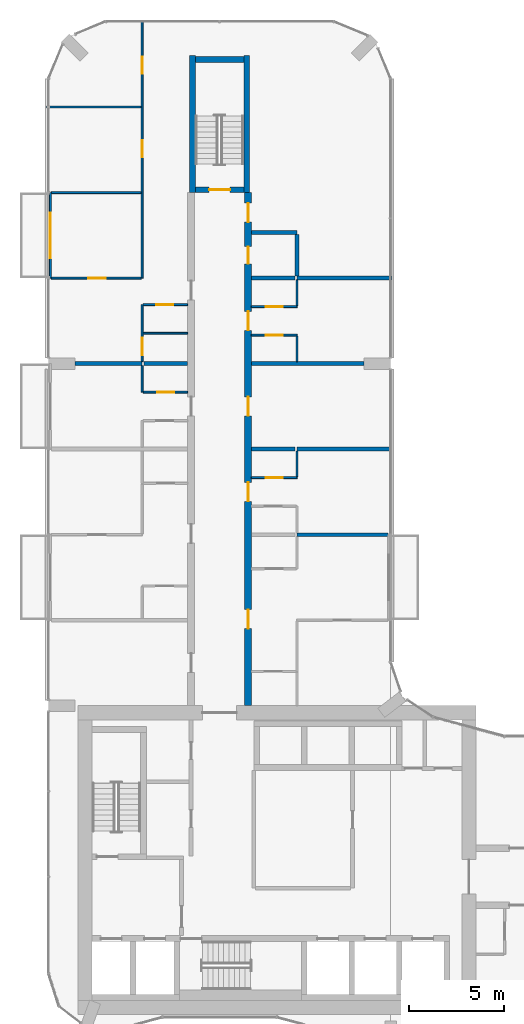
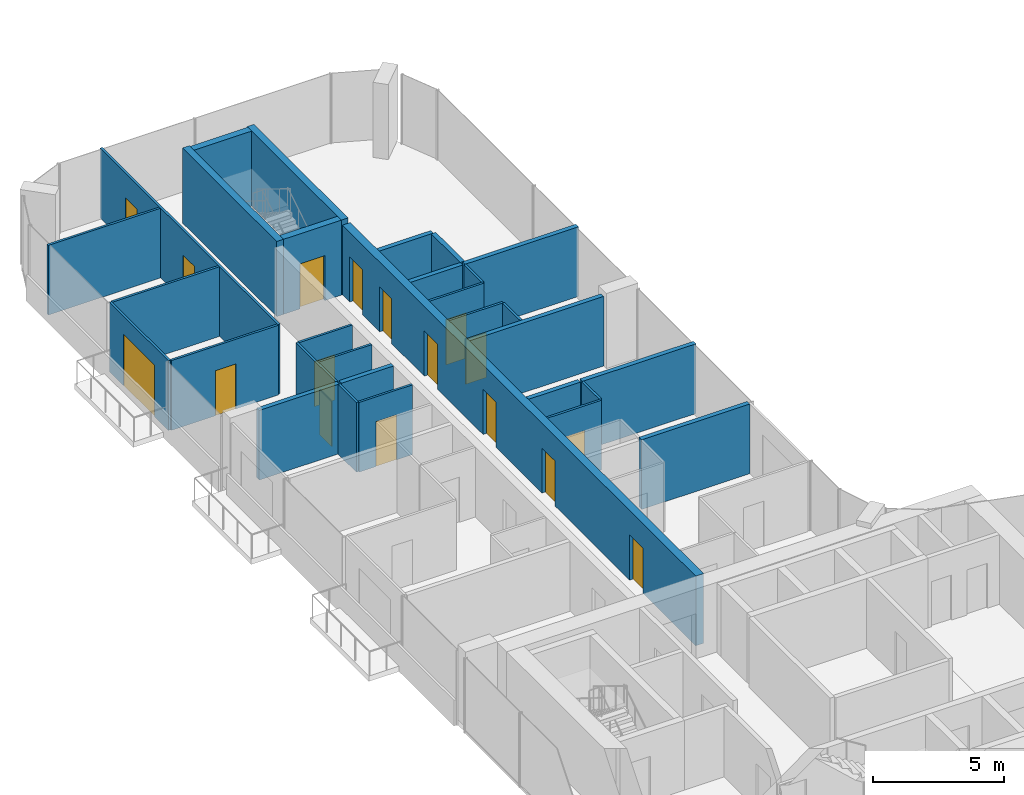
# One storey, part 16 of 22: 31 walls, 17 doors, 17 openings.
"""IFC4 building model written with IfcOpenShell, lengths in metres."""

from ifc_helpers import new_model, si_unit, direction, frame, frame_2d, origin, place, context, subcontext, project, spatial, rectangle, extrude, material, layer, layer_set, type_object, element, fill, save


model = new_model("IFC4")

# Units and contexts
model_context = context("Model", 3, precision=1e-05, world=origin(), true_north=direction((0.0, 1.0)))
body_context = subcontext(model_context, "Body", "Model", "MODEL_VIEW")
ifc_project = project(units=[si_unit("LENGTHUNIT", "METRE"), si_unit("AREAUNIT", "SQUARE_METRE"), si_unit("VOLUMEUNIT", "CUBIC_METRE"), si_unit("PLANEANGLEUNIT", "RADIAN"), si_unit("MASSUNIT", "GRAM", prefix="KILO")], contexts=[model_context])

# Site, building, storey
site_placement = place(None, origin())
site = spatial("IfcSite", under=ifc_project, at=site_placement, CompositionType="ELEMENT")
building_placement = place(site_placement, origin())
building = spatial("IfcBuilding", under=site, at=building_placement, Name="Plateau Cross Towers", CompositionType="ELEMENT")
storey_placement = place(building_placement, frame((0.0, 0.0, 54.800048828125)))
storey = spatial("IfcBuildingStorey", under=building, at=storey_placement, Name="L13", CompositionType="ELEMENT", Elevation=54.800048828125)

# Wall, opening, door
ifc_material_1 = material(Name="Aluminium framed glazing", Category="aluminium")
ifc_layer_1 = layer(ifc_material_1, 0.10009765625)
ifc_layer_set_1 = layer_set([ifc_layer_1], Name="Aluminium framed glazing")
wall_type_1 = type_object("IfcWallType", Name="Balcony screen wall 100", PredefinedType="STANDARD", material=ifc_layer_set_1)
wall_1_placement = place(storey_placement, frame((0.10009765625, 40.5, 0.0), z_axis=(0.0, 0.0, 1.0), x_axis=(0.0, 1.0, 0.0)))
wall_1 = element("IfcWall", 1, at=wall_1_placement, inside=storey, type_object=wall_type_1, Name="Balcony screen wall A-BAL-L13-03", PredefinedType="STANDARD", context=body_context, shape_type="SweptSolid", body=[
    extrude(rectangle(XDim=4.5, YDim=0.10009765625, at=frame_2d((2.25, 0.0))), origin(), (0.0, 0.0, 1.0), 3.25),
])
opening_1_placement = place(wall_1_placement, frame((1.050048828125, 0.0, 0.0)))
opening_1 = element("IfcOpeningElement", 2, at=opening_1_placement, cuts=wall_1, Name="Opening D-B24", PredefinedType="OPENING", context=body_context, shape_type="SweptSolid", body=[
    extrude(rectangle(XDim=2.39990234375, YDim=2.39990234375, at=frame_2d((1.199951171875, 1.199951171875))), frame((0.0, 0.06005859375, 0.0), z_axis=(0.0, -1.0, 0.0), x_axis=(1.0, 0.0, 0.0)), (0.0, 0.0, 1.0), 0.1201171875),
])
ifc_material_2 = material(Name="Aluminium frame, double glazing", Category="aluminium")
door_type_1 = type_object("IfcDoorType", Name="Balcony sliding door 2400", OperationType="NOTDEFINED", PredefinedType="DOOR", material=ifc_material_2)
door_1_placement = place(opening_1_placement, origin())
door_1 = element("IfcDoor", 3, at=door_1_placement, inside=storey, type_object=door_type_1, Name="Balcony door A-BAL-L13-03", OperationType="SINGLE_SWING_LEFT", OverallHeight=2.39990234375, OverallWidth=2.39990234375, PredefinedType="DOOR", context=body_context, shape_type="SweptSolid", body=[
    extrude(rectangle(XDim=2.39990234375, YDim=2.39990234375, at=frame_2d((1.199951171875, 1.199951171875))), frame((0.0, 0.02490234375, 0.0), z_axis=(0.0, -1.0, 0.0), x_axis=(1.0, 0.0, 0.0)), (0.0, 0.0, 1.0), 0.050048828125),
])
fill(opening_1, door_1)

# Wall, openings, doors
ifc_material_3 = material(Name="Concrete C60/75", Category="concrete")
ifc_layer_2 = layer(ifc_material_3, 0.35009765625)
ifc_layer_set_2 = layer_set([ifc_layer_2], Name="Concrete C60/75")
wall_type_2 = type_object("IfcWallType", Name="Corridor wall 350", PredefinedType="SHEAR", material=ifc_layer_set_2)
wall_2_placement = place(storey_placement, frame((10.5, 18.0, 0.0), z_axis=(0.0, 0.0, 1.0), x_axis=(0.0, 1.0, 0.0)))
wall_2 = element("IfcWall", 4, at=wall_2_placement, inside=storey, type_object=wall_type_2, Name="A-cw-W2@L13", PredefinedType="SHEAR", context=body_context, shape_type="SweptSolid", body=[
    extrude(rectangle(XDim=27.0, YDim=0.35009765625, at=frame_2d((13.5, 0.0))), origin(), (0.0, 0.0, 1.0), 3.25),
])
opening_2_placement = place(wall_2_placement, frame((4.050048828125, 0.0, 0.0)))
opening_2 = element("IfcOpeningElement", 5, at=opening_2_placement, cuts=wall_2, Name="Opening 13-14", PredefinedType="OPENING", context=body_context, shape_type="SweptSolid", body=[
    extrude(rectangle(XDim=1.0, YDim=2.10009765625, at=frame_2d((0.5, 1.050048828125))), frame((0.0, 0.18505859375, 0.0), z_axis=(0.0, -1.0, 0.0), x_axis=(1.0, 0.0, 0.0)), (0.0, 0.0, 1.0), 0.3701171875),
])
opening_3_placement = place(wall_2_placement, frame((10.75, 0.0, 0.0)))
opening_3 = element("IfcOpeningElement", 6, at=opening_3_placement, cuts=wall_2, Name="Opening 13-15", PredefinedType="OPENING", context=body_context, shape_type="SweptSolid", body=[
    extrude(rectangle(XDim=1.0, YDim=2.10009765625, at=frame_2d((0.5, 1.050048828125))), frame((0.0, 0.18505859375, 0.0), z_axis=(0.0, -1.0, 0.0), x_axis=(1.0, 0.0, 0.0)), (0.0, 0.0, 1.0), 0.3701171875),
])
opening_4_placement = place(wall_2_placement, frame((15.25, 0.0, 0.0)))
opening_4 = element("IfcOpeningElement", 7, at=opening_4_placement, cuts=wall_2, Name="Opening 13-16", PredefinedType="OPENING", context=body_context, shape_type="SweptSolid", body=[
    extrude(rectangle(XDim=1.0, YDim=2.10009765625, at=frame_2d((0.5, 1.050048828125))), frame((0.0, 0.18505859375, 0.0), z_axis=(0.0, -1.0, 0.0), x_axis=(1.0, 0.0, 0.0)), (0.0, 0.0, 1.0), 0.3701171875),
])
opening_5_placement = place(wall_2_placement, frame((19.75, 0.0, 0.0)))
opening_5 = element("IfcOpeningElement", 8, at=opening_5_placement, cuts=wall_2, Name="Opening 13-17", PredefinedType="OPENING", context=body_context, shape_type="SweptSolid", body=[
    extrude(rectangle(XDim=1.0, YDim=2.10009765625, at=frame_2d((0.5, 1.050048828125))), frame((0.0, 0.18505859375, 0.0), z_axis=(0.0, -1.0, 0.0), x_axis=(1.0, 0.0, 0.0)), (0.0, 0.0, 1.0), 0.3701171875),
])
opening_6_placement = place(wall_2_placement, frame((23.25, 0.0, 0.0)))
opening_6 = element("IfcOpeningElement", 9, at=opening_6_placement, cuts=wall_2, Name="Opening 13-18", PredefinedType="OPENING", context=body_context, shape_type="SweptSolid", body=[
    extrude(rectangle(XDim=0.89990234375, YDim=2.10009765625, at=frame_2d((0.449951171875, 1.050048828125))), frame((0.0, 0.18505859375, 0.0), z_axis=(0.0, -1.0, 0.0), x_axis=(1.0, 0.0, 0.0)), (0.0, 0.0, 1.0), 0.3701171875),
])
opening_7_placement = place(wall_2_placement, frame((25.449951171875, 0.0, 0.0)))
opening_7 = element("IfcOpeningElement", 10, at=opening_7_placement, cuts=wall_2, Name="Opening 13-19", PredefinedType="OPENING", context=body_context, shape_type="SweptSolid", body=[
    extrude(rectangle(XDim=1.0, YDim=2.10009765625, at=frame_2d((0.5, 1.050048828125))), frame((0.0, 0.18505859375, 0.0), z_axis=(0.0, -1.0, 0.0), x_axis=(1.0, 0.0, 0.0)), (0.0, 0.0, 1.0), 0.3701171875),
])
ifc_material_4 = material(Name="Timber, fire-resisting leaf", Category="wood")
door_type_2 = type_object("IfcDoorType", Name="Flat entrance door 1000", OperationType="NOTDEFINED", PredefinedType="DOOR", material=ifc_material_4)
door_2_placement = place(opening_2_placement, origin())
door_2 = element("IfcDoor", 11, at=door_2_placement, inside=storey, type_object=door_type_2, Name="Door 13-14", OperationType="SINGLE_SWING_LEFT", OverallHeight=2.10009765625, OverallWidth=1.0, PredefinedType="DOOR", context=body_context, shape_type="SweptSolid", body=[
    extrude(rectangle(XDim=1.0, YDim=2.10009765625, at=frame_2d((0.5, 1.050048828125))), frame((0.0, 0.02490234375, 0.0), z_axis=(0.0, -1.0, 0.0), x_axis=(1.0, 0.0, 0.0)), (0.0, 0.0, 1.0), 0.050048828125),
])
fill(opening_2, door_2)
door_3_placement = place(opening_3_placement, origin())
door_3 = element("IfcDoor", 12, at=door_3_placement, inside=storey, type_object=door_type_2, Name="Door 13-15", OperationType="SINGLE_SWING_LEFT", OverallHeight=2.10009765625, OverallWidth=1.0, PredefinedType="DOOR", context=body_context, shape_type="SweptSolid", body=[
    extrude(rectangle(XDim=1.0, YDim=2.10009765625, at=frame_2d((0.5, 1.050048828125))), frame((0.0, 0.02490234375, 0.0), z_axis=(0.0, -1.0, 0.0), x_axis=(1.0, 0.0, 0.0)), (0.0, 0.0, 1.0), 0.050048828125),
])
fill(opening_3, door_3)
door_4_placement = place(opening_4_placement, origin())
door_4 = element("IfcDoor", 13, at=door_4_placement, inside=storey, type_object=door_type_2, Name="Door 13-16", OperationType="SINGLE_SWING_RIGHT", OverallHeight=2.10009765625, OverallWidth=1.0, PredefinedType="DOOR", context=body_context, shape_type="SweptSolid", body=[
    extrude(rectangle(XDim=1.0, YDim=2.10009765625, at=frame_2d((0.5, 1.050048828125))), frame((0.0, 0.02490234375, 0.0), z_axis=(0.0, -1.0, 0.0), x_axis=(1.0, 0.0, 0.0)), (0.0, 0.0, 1.0), 0.050048828125),
])
fill(opening_4, door_4)
door_5_placement = place(opening_5_placement, origin())
door_5 = element("IfcDoor", 14, at=door_5_placement, inside=storey, type_object=door_type_2, Name="Door 13-17", OperationType="SINGLE_SWING_RIGHT", OverallHeight=2.10009765625, OverallWidth=1.0, PredefinedType="DOOR", context=body_context, shape_type="SweptSolid", body=[
    extrude(rectangle(XDim=1.0, YDim=2.10009765625, at=frame_2d((0.5, 1.050048828125))), frame((0.0, 0.02490234375, 0.0), z_axis=(0.0, -1.0, 0.0), x_axis=(1.0, 0.0, 0.0)), (0.0, 0.0, 1.0), 0.050048828125),
])
fill(opening_5, door_5)
door_6_placement = place(opening_7_placement, origin())
door_6 = element("IfcDoor", 15, at=door_6_placement, inside=storey, type_object=door_type_2, Name="Door 13-19", OperationType="SINGLE_SWING_RIGHT", OverallHeight=2.10009765625, OverallWidth=1.0, PredefinedType="DOOR", context=body_context, shape_type="SweptSolid", body=[
    extrude(rectangle(XDim=1.0, YDim=2.10009765625, at=frame_2d((0.5, 1.050048828125))), frame((0.0, 0.02490234375, 0.0), z_axis=(0.0, -1.0, 0.0), x_axis=(1.0, 0.0, 0.0)), (0.0, 0.0, 1.0), 0.050048828125),
])
fill(opening_7, door_6)
door_type_3 = type_object("IfcDoorType", Name="Flat floor service door 900", OperationType="NOTDEFINED", PredefinedType="DOOR", material=ifc_material_4)
door_7_placement = place(opening_6_placement, origin())
door_7 = element("IfcDoor", 16, at=door_7_placement, inside=storey, type_object=door_type_3, Name="Door 13-18", OperationType="SINGLE_SWING_RIGHT", OverallHeight=2.10009765625, OverallWidth=0.89990234375, PredefinedType="DOOR", context=body_context, shape_type="SweptSolid", body=[
    extrude(rectangle(XDim=0.89990234375, YDim=2.10009765625, at=frame_2d((0.449951171875, 1.050048828125))), frame((0.0, 0.02490234375, 0.0), z_axis=(0.0, -1.0, 0.0), x_axis=(1.0, 0.0, 0.0)), (0.0, 0.0, 1.0), 0.050048828125),
])
fill(opening_6, door_7)

# Wall, opening, door
ifc_material_5 = material(Name="Gypsum board on steel studs", Category="steel")
ifc_layer_3 = layer(ifc_material_5, 0.10009765625)
ifc_layer_set_3 = layer_set([ifc_layer_3], Name="Gypsum board on steel studs")
wall_type_3 = type_object("IfcWallType", Name="Flat partition 100", PredefinedType="PARTITIONING", material=ifc_layer_set_3)
wall_3_placement = place(storey_placement, frame((10.675048828125, 30.0, 0.0), z_axis=(0.0, 0.0, 1.0), x_axis=(1.0, 0.0, 0.0)))
wall_3 = element("IfcWall", 17, at=wall_3_placement, inside=storey, type_object=wall_type_3, Name="Partition wall", PredefinedType="PARTITIONING", context=body_context, shape_type="SweptSolid", body=[
    extrude(rectangle(XDim=2.39990234375, YDim=0.10009765625, at=frame_2d((1.199951171875, 0.0))), origin(), (0.0, 0.0, 1.0), 3.25),
])
opening_8_placement = place(wall_3_placement, frame((0.75, 0.0, 0.0)))
opening_8 = element("IfcOpeningElement", 18, at=opening_8_placement, cuts=wall_3, Name="Opening 13-45", PredefinedType="OPENING", context=body_context, shape_type="SweptSolid", body=[
    extrude(rectangle(XDim=0.89990234375, YDim=2.10009765625, at=frame_2d((0.449951171875, 1.050048828125))), frame((0.0, 0.06005859375, 0.0), z_axis=(0.0, -1.0, 0.0), x_axis=(1.0, 0.0, 0.0)), (0.0, 0.0, 1.0), 0.1201171875),
])
ifc_material_6 = material(Name="Timber leaf", Category="wood")
door_type_4 = type_object("IfcDoorType", Name="Flat room door 900", OperationType="NOTDEFINED", PredefinedType="DOOR", material=ifc_material_6)
door_8_placement = place(opening_8_placement, origin())
door_8 = element("IfcDoor", 19, at=door_8_placement, inside=storey, type_object=door_type_4, Name="Door 13-45", OperationType="SINGLE_SWING_RIGHT", OverallHeight=2.10009765625, OverallWidth=0.89990234375, PredefinedType="DOOR", context=body_context, shape_type="SweptSolid", body=[
    extrude(rectangle(XDim=0.89990234375, YDim=2.10009765625, at=frame_2d((0.449951171875, 1.050048828125))), frame((0.0, 0.02490234375, 0.0), z_axis=(0.0, -1.0, 0.0), x_axis=(1.0, 0.0, 0.0)), (0.0, 0.0, 1.0), 0.050048828125),
])
fill(opening_8, door_8)

wall_4_placement = place(storey_placement, frame((4.97509765625, 34.5, 0.0), z_axis=(0.0, 0.0, 1.0), x_axis=(1.0, 0.0, 0.0)))
wall_4 = element("IfcWall", 20, at=wall_4_placement, inside=storey, type_object=wall_type_3, Name="Partition wall", PredefinedType="PARTITIONING", context=body_context, shape_type="SweptSolid", body=[
    extrude(rectangle(XDim=2.349853515625, YDim=0.10009765625, at=frame_2d((1.1748046875, 0.0))), origin(), (0.0, 0.0, 1.0), 3.25),
])
opening_9_placement = place(wall_4_placement, frame((0.75, 0.0, 0.0)))
opening_9 = element("IfcOpeningElement", 21, at=opening_9_placement, cuts=wall_4, Name="Opening 13-35", PredefinedType="OPENING", context=body_context, shape_type="SweptSolid", body=[
    extrude(rectangle(XDim=0.89990234375, YDim=2.10009765625, at=frame_2d((0.449951171875, 1.050048828125))), frame((0.0, 0.06005859375, 0.0), z_axis=(0.0, -1.0, 0.0), x_axis=(1.0, 0.0, 0.0)), (0.0, 0.0, 1.0), 0.1201171875),
])
door_9_placement = place(opening_9_placement, origin())
door_9 = element("IfcDoor", 22, at=door_9_placement, inside=storey, type_object=door_type_4, Name="Door 13-35", OperationType="SINGLE_SWING_RIGHT", OverallHeight=2.10009765625, OverallWidth=0.89990234375, PredefinedType="DOOR", context=body_context, shape_type="SweptSolid", body=[
    extrude(rectangle(XDim=0.89990234375, YDim=2.10009765625, at=frame_2d((0.449951171875, 1.050048828125))), frame((0.0, 0.02490234375, 0.0), z_axis=(0.0, -1.0, 0.0), x_axis=(1.0, 0.0, 0.0)), (0.0, 0.0, 1.0), 0.050048828125),
])
fill(opening_9, door_9)

wall_5_placement = place(storey_placement, frame((13.074951171875, 37.5, 0.0), z_axis=(0.0, 0.0, 1.0), x_axis=(-1.0, 0.0, 0.0)))
wall_5 = element("IfcWall", 23, at=wall_5_placement, inside=storey, type_object=wall_type_3, Name="Partition wall", PredefinedType="PARTITIONING", context=body_context, shape_type="SweptSolid", body=[
    extrude(rectangle(XDim=2.39990234375, YDim=0.10009765625, at=frame_2d((1.199951171875, 0.0))), origin(), (0.0, 0.0, 1.0), 3.25),
])
opening_10_placement = place(wall_5_placement, frame((0.75, 0.0, 0.0)))
opening_10 = element("IfcOpeningElement", 24, at=opening_10_placement, cuts=wall_5, Name="Opening 13-46", PredefinedType="OPENING", context=body_context, shape_type="SweptSolid", body=[
    extrude(rectangle(XDim=0.89990234375, YDim=2.10009765625, at=frame_2d((0.449951171875, 1.050048828125))), frame((0.0, 0.06005859375, 0.0), z_axis=(0.0, -1.0, 0.0), x_axis=(1.0, 0.0, 0.0)), (0.0, 0.0, 1.0), 0.1201171875),
])
door_10_placement = place(opening_10_placement, origin())
door_10 = element("IfcDoor", 25, at=door_10_placement, inside=storey, type_object=door_type_4, Name="Door 13-46", OperationType="SINGLE_SWING_RIGHT", OverallHeight=2.10009765625, OverallWidth=0.89990234375, PredefinedType="DOOR", context=body_context, shape_type="SweptSolid", body=[
    extrude(rectangle(XDim=0.89990234375, YDim=2.10009765625, at=frame_2d((0.449951171875, 1.050048828125))), frame((0.0, 0.02490234375, 0.0), z_axis=(0.0, -1.0, 0.0), x_axis=(1.0, 0.0, 0.0)), (0.0, 0.0, 1.0), 0.050048828125),
])
fill(opening_10, door_10)

# Wall
wall_6_placement = place(storey_placement, frame((7.324951171875, 37.60009765625, 0.0), z_axis=(0.0, 0.0, 1.0), x_axis=(-1.0, 0.0, 0.0)))
element("IfcWall", 26, at=wall_6_placement, inside=storey, type_object=wall_type_3, Name="Partition wall", PredefinedType="PARTITIONING", context=body_context, shape_type="SweptSolid", body=[
    extrude(rectangle(XDim=2.349853515625, YDim=0.10009765625, at=frame_2d((1.1748046875, 0.0))), origin(), (0.0, 0.0, 1.0), 3.25),
])

# Wall, opening, door
wall_7_placement = place(storey_placement, frame((10.675048828125, 39.0, 0.0), z_axis=(0.0, 0.0, 1.0), x_axis=(1.0, 0.0, 0.0)))
wall_7 = element("IfcWall", 27, at=wall_7_placement, inside=storey, type_object=wall_type_3, Name="Partition wall", PredefinedType="PARTITIONING", context=body_context, shape_type="SweptSolid", body=[
    extrude(rectangle(XDim=2.39990234375, YDim=0.10009765625, at=frame_2d((1.199951171875, 0.0))), origin(), (0.0, 0.0, 1.0), 3.25),
])
opening_11_placement = place(wall_7_placement, frame((0.75, 0.0, 0.0)))
opening_11 = element("IfcOpeningElement", 28, at=opening_11_placement, cuts=wall_7, Name="Opening 13-47", PredefinedType="OPENING", context=body_context, shape_type="SweptSolid", body=[
    extrude(rectangle(XDim=0.89990234375, YDim=2.10009765625, at=frame_2d((0.449951171875, 1.050048828125))), frame((0.0, 0.06005859375, 0.0), z_axis=(0.0, -1.0, 0.0), x_axis=(1.0, 0.0, 0.0)), (0.0, 0.0, 1.0), 0.1201171875),
])
door_11_placement = place(opening_11_placement, origin())
door_11 = element("IfcDoor", 29, at=door_11_placement, inside=storey, type_object=door_type_4, Name="Door 13-47", OperationType="SINGLE_SWING_RIGHT", OverallHeight=2.10009765625, OverallWidth=0.89990234375, PredefinedType="DOOR", context=body_context, shape_type="SweptSolid", body=[
    extrude(rectangle(XDim=0.89990234375, YDim=2.10009765625, at=frame_2d((0.449951171875, 1.050048828125))), frame((0.0, 0.02490234375, 0.0), z_axis=(0.0, -1.0, 0.0), x_axis=(1.0, 0.0, 0.0)), (0.0, 0.0, 1.0), 0.050048828125),
])
fill(opening_11, door_11)

wall_8_placement = place(storey_placement, frame((7.324951171875, 39.10009765625, 0.0), z_axis=(0.0, 0.0, 1.0), x_axis=(-1.0, 0.0, 0.0)))
wall_8 = element("IfcWall", 30, at=wall_8_placement, inside=storey, type_object=wall_type_3, Name="Partition wall", PredefinedType="PARTITIONING", context=body_context, shape_type="SweptSolid", body=[
    extrude(rectangle(XDim=2.349853515625, YDim=0.10009765625, at=frame_2d((1.1748046875, 0.0))), origin(), (0.0, 0.0, 1.0), 3.25),
])
opening_12_placement = place(wall_8_placement, frame((0.75, 0.0, 0.0)))
opening_12 = element("IfcOpeningElement", 31, at=opening_12_placement, cuts=wall_8, Name="Opening 13-37", PredefinedType="OPENING", context=body_context, shape_type="SweptSolid", body=[
    extrude(rectangle(XDim=0.89990234375, YDim=2.10009765625, at=frame_2d((0.449951171875, 1.050048828125))), frame((0.0, 0.06005859375, 0.0), z_axis=(0.0, -1.0, 0.0), x_axis=(1.0, 0.0, 0.0)), (0.0, 0.0, 1.0), 0.1201171875),
])
door_12_placement = place(opening_12_placement, origin())
door_12 = element("IfcDoor", 32, at=door_12_placement, inside=storey, type_object=door_type_4, Name="Door 13-37", OperationType="SINGLE_SWING_RIGHT", OverallHeight=2.10009765625, OverallWidth=0.89990234375, PredefinedType="DOOR", context=body_context, shape_type="SweptSolid", body=[
    extrude(rectangle(XDim=0.89990234375, YDim=2.10009765625, at=frame_2d((0.449951171875, 1.050048828125))), frame((0.0, 0.02490234375, 0.0), z_axis=(0.0, -1.0, 0.0), x_axis=(1.0, 0.0, 0.0)), (0.0, 0.0, 1.0), 0.050048828125),
])
fill(opening_12, door_12)

wall_9_placement = place(storey_placement, frame((0.14990234375, 40.5, 0.0), z_axis=(0.0, 0.0, 1.0), x_axis=(1.0, 0.0, 0.0)))
wall_9 = element("IfcWall", 33, at=wall_9_placement, inside=storey, type_object=wall_type_3, Name="Partition wall", PredefinedType="PARTITIONING", context=body_context, shape_type="SweptSolid", body=[
    extrude(rectangle(XDim=4.72509765625, YDim=0.10009765625, at=frame_2d((2.362548828125, 0.0))), origin(), (0.0, 0.0, 1.0), 3.25),
])
opening_13_placement = place(wall_9_placement, frame((1.949951171875, 0.0, 0.0)))
opening_13 = element("IfcOpeningElement", 34, at=opening_13_placement, cuts=wall_9, Name="Opening 13-38", PredefinedType="OPENING", context=body_context, shape_type="SweptSolid", body=[
    extrude(rectangle(XDim=0.89990234375, YDim=2.10009765625, at=frame_2d((0.449951171875, 1.050048828125))), frame((0.0, 0.06005859375, 0.0), z_axis=(0.0, -1.0, 0.0), x_axis=(1.0, 0.0, 0.0)), (0.0, 0.0, 1.0), 0.1201171875),
])
door_13_placement = place(opening_13_placement, origin())
door_13 = element("IfcDoor", 35, at=door_13_placement, inside=storey, type_object=door_type_4, Name="Door 13-38", OperationType="SINGLE_SWING_RIGHT", OverallHeight=2.10009765625, OverallWidth=0.89990234375, PredefinedType="DOOR", context=body_context, shape_type="SweptSolid", body=[
    extrude(rectangle(XDim=0.89990234375, YDim=2.10009765625, at=frame_2d((0.449951171875, 1.050048828125))), frame((0.0, 0.02490234375, 0.0), z_axis=(0.0, -1.0, 0.0), x_axis=(1.0, 0.0, 0.0)), (0.0, 0.0, 1.0), 0.050048828125),
])
fill(opening_13, door_13)

# Walls
wall_10_placement = place(storey_placement, frame((4.875, 45.0, 0.0), z_axis=(0.0, 0.0, 1.0), x_axis=(-1.0, 0.0, 0.0)))
element("IfcWall", 36, at=wall_10_placement, inside=storey, type_object=wall_type_3, Name="Partition wall", PredefinedType="PARTITIONING", context=body_context, shape_type="SweptSolid", body=[
    extrude(rectangle(XDim=4.72509765625, YDim=0.10009765625, at=frame_2d((2.362548828125, 0.0))), origin(), (0.0, 0.0, 1.0), 3.25),
])
wall_11_placement = place(storey_placement, frame((4.875, 49.5, 0.0), z_axis=(0.0, 0.0, 1.0), x_axis=(-1.0, 0.0, 0.0)))
element("IfcWall", 37, at=wall_11_placement, inside=storey, type_object=wall_type_3, Name="Partition wall", PredefinedType="PARTITIONING", context=body_context, shape_type="SweptSolid", body=[
    extrude(rectangle(XDim=4.955078125, YDim=0.10009765625, at=frame_2d((2.4775390625, 0.0))), origin(), (0.0, 0.0, 1.0), 3.25),
])
wall_12_placement = place(storey_placement, frame((4.925048828125, 35.89990234375, 0.0), z_axis=(0.0, 0.0, 1.0), x_axis=(0.0, -1.0, 0.0)))
element("IfcWall", 38, at=wall_12_placement, inside=storey, type_object=wall_type_3, Name="Partition wall", PredefinedType="PARTITIONING", context=body_context, shape_type="SweptSolid", body=[
    extrude(rectangle(XDim=1.39990234375, YDim=0.10009765625, at=frame_2d((0.699951171875, 0.0))), origin(), (0.0, 0.0, 1.0), 3.25),
])

# Wall, opening, door
wall_13_placement = place(storey_placement, frame((4.925048828125, 39.10009765625, 0.0), z_axis=(0.0, 0.0, 1.0), x_axis=(0.0, -1.0, 0.0)))
wall_13 = element("IfcWall", 39, at=wall_13_placement, inside=storey, type_object=wall_type_3, Name="Partition wall", PredefinedType="PARTITIONING", context=body_context, shape_type="SweptSolid", body=[
    extrude(rectangle(XDim=3.0, YDim=0.10009765625, at=frame_2d((1.5, 0.0))), origin(), (0.0, 0.0, 1.0), 3.25),
])
opening_14_placement = place(wall_13_placement, frame((1.75, 0.0, 0.0)))
opening_14 = element("IfcOpeningElement", 40, at=opening_14_placement, cuts=wall_13, Name="Opening 13-36", PredefinedType="OPENING", context=body_context, shape_type="SweptSolid", body=[
    extrude(rectangle(XDim=0.89990234375, YDim=2.10009765625, at=frame_2d((0.449951171875, 1.050048828125))), frame((0.0, 0.06005859375, 0.0), z_axis=(0.0, -1.0, 0.0), x_axis=(1.0, 0.0, 0.0)), (0.0, 0.0, 1.0), 0.1201171875),
])
door_14_placement = place(opening_14_placement, origin())
door_14 = element("IfcDoor", 41, at=door_14_placement, inside=storey, type_object=door_type_4, Name="Door 13-36", OperationType="SINGLE_SWING_RIGHT", OverallHeight=2.10009765625, OverallWidth=0.89990234375, PredefinedType="DOOR", context=body_context, shape_type="SweptSolid", body=[
    extrude(rectangle(XDim=0.89990234375, YDim=2.10009765625, at=frame_2d((0.449951171875, 1.050048828125))), frame((0.0, 0.02490234375, 0.0), z_axis=(0.0, -1.0, 0.0), x_axis=(1.0, 0.0, 0.0)), (0.0, 0.0, 1.0), 0.050048828125),
])
fill(opening_14, door_14)

# Wall, openings, doors
wall_14_placement = place(storey_placement, frame((4.925048828125, 40.5, 0.0), z_axis=(0.0, 0.0, 1.0), x_axis=(0.0, 1.0, 0.0)))
wall_14 = element("IfcWall", 42, at=wall_14_placement, inside=storey, type_object=wall_type_3, Name="Partition wall", PredefinedType="PARTITIONING", context=body_context, shape_type="SweptSolid", body=[
    extrude(rectangle(XDim=13.580078125, YDim=0.10009765625, at=frame_2d((6.7900390625, 0.0))), origin(), (0.0, 0.0, 1.0), 3.25),
])
opening_15_placement = place(wall_14_placement, frame((6.35009765625, 0.0, 0.0)))
opening_15 = element("IfcOpeningElement", 43, at=opening_15_placement, cuts=wall_14, Name="Opening 13-39", PredefinedType="OPENING", context=body_context, shape_type="SweptSolid", body=[
    extrude(rectangle(XDim=0.89990234375, YDim=2.10009765625, at=frame_2d((0.449951171875, 1.050048828125))), frame((0.0, 0.06005859375, 0.0), z_axis=(0.0, -1.0, 0.0), x_axis=(1.0, 0.0, 0.0)), (0.0, 0.0, 1.0), 0.1201171875),
])
opening_16_placement = place(wall_14_placement, frame((10.75, 0.0, 0.0)))
opening_16 = element("IfcOpeningElement", 44, at=opening_16_placement, cuts=wall_14, Name="Opening 13-40", PredefinedType="OPENING", context=body_context, shape_type="SweptSolid", body=[
    extrude(rectangle(XDim=0.89990234375, YDim=2.10009765625, at=frame_2d((0.449951171875, 1.050048828125))), frame((0.0, 0.06005859375, 0.0), z_axis=(0.0, -1.0, 0.0), x_axis=(1.0, 0.0, 0.0)), (0.0, 0.0, 1.0), 0.1201171875),
])
door_15_placement = place(opening_15_placement, origin())
door_15 = element("IfcDoor", 45, at=door_15_placement, inside=storey, type_object=door_type_4, Name="Door 13-39", OperationType="SINGLE_SWING_RIGHT", OverallHeight=2.10009765625, OverallWidth=0.89990234375, PredefinedType="DOOR", context=body_context, shape_type="SweptSolid", body=[
    extrude(rectangle(XDim=0.89990234375, YDim=2.10009765625, at=frame_2d((0.449951171875, 1.050048828125))), frame((0.0, 0.02490234375, 0.0), z_axis=(0.0, -1.0, 0.0), x_axis=(1.0, 0.0, 0.0)), (0.0, 0.0, 1.0), 0.050048828125),
])
fill(opening_15, door_15)
door_16_placement = place(opening_16_placement, origin())
door_16 = element("IfcDoor", 46, at=door_16_placement, inside=storey, type_object=door_type_4, Name="Door 13-40", OperationType="SINGLE_SWING_RIGHT", OverallHeight=2.10009765625, OverallWidth=0.89990234375, PredefinedType="DOOR", context=body_context, shape_type="SweptSolid", body=[
    extrude(rectangle(XDim=0.89990234375, YDim=2.10009765625, at=frame_2d((0.449951171875, 1.050048828125))), frame((0.0, 0.02490234375, 0.0), z_axis=(0.0, -1.0, 0.0), x_axis=(1.0, 0.0, 0.0)), (0.0, 0.0, 1.0), 0.050048828125),
])
fill(opening_16, door_16)

# Walls
for number, where, z_axis, x_axis, name in (
    (47, (13.074951171875, 30.050048828125, 0.0), (0.0, 0.0, 1.0), (0.0, 1.0, 0.0), "Partition wall"),
    (48, (13.074951171875, 36.10009765625, 0.0), (0.0, 0.0, 1.0), (0.0, 1.0, 0.0), "Partition wall"),
    (49, (13.074951171875, 39.050048828125, 0.0), (0.0, 0.0, 1.0), (0.0, 1.0, 0.0), "Partition wall"),
):
    element("IfcWall", number, at=place(storey_placement, frame(where, z_axis=z_axis, x_axis=x_axis)), inside=storey, type_object=wall_type_3, Name=name, PredefinedType="PARTITIONING", context=body_context, shape_type="SweptSolid", body=[
        extrude(rectangle(XDim=1.349853515625, YDim=0.10009765625, at=frame_2d((0.6748046875, 0.0))), origin(), (0.0, 0.0, 1.0), 3.25),
    ])
ifc_material_7 = material(Name="Gypsum board on steel studs, two layers each side", Category="steel")
ifc_layer_4 = layer(ifc_material_7, 0.199951171875)
ifc_layer_set_4 = layer_set([ifc_layer_4], Name="Gypsum board on steel studs, two layers each side")
wall_type_4 = type_object("IfcWallType", Name="Flat party wall 200", PredefinedType="PARTITIONING", material=ifc_layer_set_4)
wall_15_placement = place(storey_placement, frame((13.074951171875, 27.0, 0.0), z_axis=(0.0, 0.0, 1.0), x_axis=(1.0, 0.0, 0.0)))
element("IfcWall", 50, at=wall_15_placement, inside=storey, type_object=wall_type_4, Name="Party wall", PredefinedType="PARTITIONING", context=body_context, shape_type="SweptSolid", body=[
    extrude(rectangle(XDim=4.775146484375, YDim=0.199951171875, at=frame_2d((2.3876953125, 0.0))), origin(), (0.0, 0.0, 1.0), 3.25),
])
wall_16_placement = place(storey_placement, frame((12.97509765625, 31.5, 0.0), z_axis=(0.0, 0.0, 1.0), x_axis=(-1.0, 0.0, 0.0)))
element("IfcWall", 51, at=wall_16_placement, inside=storey, type_object=wall_type_4, Name="Party wall", PredefinedType="PARTITIONING", context=body_context, shape_type="SweptSolid", body=[
    extrude(rectangle(XDim=2.300048828125, YDim=0.199951171875, at=frame_2d((1.14990234375, 0.0))), origin(), (0.0, 0.0, 1.0), 3.25),
])
wall_17_placement = place(storey_placement, frame((13.074951171875, 31.5, 0.0), z_axis=(0.0, 0.0, 1.0), x_axis=(1.0, 0.0, 0.0)))
element("IfcWall", 52, at=wall_17_placement, inside=storey, type_object=wall_type_4, Name="Party wall", PredefinedType="PARTITIONING", context=body_context, shape_type="SweptSolid", body=[
    extrude(rectangle(XDim=5.005126953125, YDim=0.199951171875, at=frame_2d((2.50244140625, 0.0))), origin(), (0.0, 0.0, 1.0), 3.25),
])
wall_18_placement = place(storey_placement, frame((7.324951171875, 36.0, 0.0), z_axis=(0.0, 0.0, 1.0), x_axis=(-1.0, 0.0, 0.0)))
element("IfcWall", 53, at=wall_18_placement, inside=storey, type_object=wall_type_4, Name="Party wall", PredefinedType="PARTITIONING", context=body_context, shape_type="SweptSolid", body=[
    extrude(rectangle(XDim=2.300048828125, YDim=0.199951171875, at=frame_2d((1.14990234375, 0.0))), origin(), (0.0, 0.0, 1.0), 3.25),
])
wall_19_placement = place(storey_placement, frame((16.60009765625, 36.0, 0.0), z_axis=(0.0, 0.0, 1.0), x_axis=(-1.0, 0.0, 0.0)))
element("IfcWall", 54, at=wall_19_placement, inside=storey, type_object=wall_type_4, Name="Party wall", PredefinedType="PARTITIONING", context=body_context, shape_type="SweptSolid", body=[
    extrude(rectangle(XDim=5.925048828125, YDim=0.199951171875, at=frame_2d((2.96240234375, 0.0))), origin(), (0.0, 0.0, 1.0), 3.25),
])
wall_20_placement = place(storey_placement, frame((1.39990234375, 36.0, 0.0), z_axis=(0.0, 0.0, 1.0), x_axis=(1.0, 0.0, 0.0)))
element("IfcWall", 55, at=wall_20_placement, inside=storey, type_object=wall_type_4, Name="Party wall", PredefinedType="PARTITIONING", context=body_context, shape_type="SweptSolid", body=[
    extrude(rectangle(XDim=3.525146484375, YDim=0.199951171875, at=frame_2d((1.7626953125, 0.0))), origin(), (0.0, 0.0, 1.0), 3.25),
])
wall_21_placement = place(storey_placement, frame((12.97509765625, 40.5, 0.0), z_axis=(0.0, 0.0, 1.0), x_axis=(-1.0, 0.0, 0.0)))
element("IfcWall", 56, at=wall_21_placement, inside=storey, type_object=wall_type_4, Name="Party wall", PredefinedType="PARTITIONING", context=body_context, shape_type="SweptSolid", body=[
    extrude(rectangle(XDim=2.300048828125, YDim=0.199951171875, at=frame_2d((1.14990234375, 0.0))), origin(), (0.0, 0.0, 1.0), 3.25),
])
wall_22_placement = place(storey_placement, frame((13.074951171875, 40.5, 0.0), z_axis=(0.0, 0.0, 1.0), x_axis=(1.0, 0.0, 0.0)))
element("IfcWall", 57, at=wall_22_placement, inside=storey, type_object=wall_type_4, Name="Party wall", PredefinedType="PARTITIONING", context=body_context, shape_type="SweptSolid", body=[
    extrude(rectangle(XDim=5.005126953125, YDim=0.199951171875, at=frame_2d((2.50244140625, 0.0))), origin(), (0.0, 0.0, 1.0), 3.25),
])
wall_23_placement = place(storey_placement, frame((13.074951171875, 42.89990234375, 0.0), z_axis=(0.0, 0.0, 1.0), x_axis=(-1.0, 0.0, 0.0)))
element("IfcWall", 58, at=wall_23_placement, inside=storey, type_object=wall_type_4, Name="Party wall", PredefinedType="PARTITIONING", context=body_context, shape_type="SweptSolid", body=[
    extrude(rectangle(XDim=2.39990234375, YDim=0.199951171875, at=frame_2d((1.199951171875, 0.0))), origin(), (0.0, 0.0, 1.0), 3.25),
])
wall_24_placement = place(storey_placement, frame((13.074951171875, 40.60009765625, 0.0), z_axis=(0.0, 0.0, 1.0), x_axis=(0.0, 1.0, 0.0)))
element("IfcWall", 59, at=wall_24_placement, inside=storey, type_object=wall_type_4, Name="Party wall", PredefinedType="PARTITIONING", context=body_context, shape_type="SweptSolid", body=[
    extrude(rectangle(XDim=2.199951171875, YDim=0.199951171875, at=frame_2d((1.10009765625, 0.0))), origin(), (0.0, 0.0, 1.0), 3.25),
])

# Wall, opening, door
ifc_layer_5 = layer(ifc_material_3, 0.300048828125)
ifc_layer_set_5 = layer_set([ifc_layer_5], Name="Concrete C60/75")
wall_type_5 = type_object("IfcWallType", Name="Stair tower wall 300", PredefinedType="SHEAR", material=ifc_layer_set_5)
wall_25_placement = place(storey_placement, frame((7.72509765625, 45.14990234375, 0.0), z_axis=(0.0, 0.0, 1.0), x_axis=(1.0, 0.0, 0.0)))
wall_25 = element("IfcWall", 60, at=wall_25_placement, inside=storey, type_object=wall_type_5, Name="A-end-N-S@L13", PredefinedType="SHEAR", context=body_context, shape_type="SweptSolid", body=[
    extrude(rectangle(XDim=2.5498046875, YDim=0.300048828125, at=frame_2d((1.27490234375, 0.0))), origin(), (0.0, 0.0, 1.0), 3.5),
])
opening_17_placement = place(wall_25_placement, frame((0.72509765625, 0.0, 0.0)))
opening_17 = element("IfcOpeningElement", 61, at=opening_17_placement, cuts=wall_25, Name="Opening SD", PredefinedType="OPENING", context=body_context, shape_type="SweptSolid", body=[
    extrude(rectangle(XDim=1.10009765625, YDim=2.10009765625, at=frame_2d((0.550048828125, 1.050048828125))), frame((0.0, 0.159912109375, 0.0), z_axis=(0.0, -1.0, 0.0), x_axis=(1.0, 0.0, 0.0)), (0.0, 0.0, 1.0), 0.320068359375),
])
ifc_material_8 = material(Name="Steel, fire-resisting leaf", Category="steel")
door_type_5 = type_object("IfcDoorType", Name="Stair door 1100", OperationType="NOTDEFINED", PredefinedType="DOOR", material=ifc_material_8)
door_17_placement = place(opening_17_placement, origin())
door_17 = element("IfcDoor", 62, at=door_17_placement, inside=storey, type_object=door_type_5, Name="Stair door SD", OperationType="SINGLE_SWING_LEFT", OverallHeight=2.10009765625, OverallWidth=1.10009765625, PredefinedType="DOOR", context=body_context, shape_type="SweptSolid", body=[
    extrude(rectangle(XDim=1.10009765625, YDim=2.10009765625, at=frame_2d((0.550048828125, 1.050048828125))), frame((0.0, 0.02490234375, 0.0), z_axis=(0.0, -1.0, 0.0), x_axis=(1.0, 0.0, 0.0)), (0.0, 0.0, 1.0), 0.050048828125),
])
fill(opening_17, door_17)

# Walls
wall_26_placement = place(storey_placement, frame((7.72509765625, 52.0, 0.0), z_axis=(0.0, 0.0, 1.0), x_axis=(1.0, 0.0, 0.0)))
element("IfcWall", 63, at=wall_26_placement, inside=storey, type_object=wall_type_5, Name="A-end-N-N@L13", PredefinedType="SHEAR", context=body_context, shape_type="SweptSolid", body=[
    extrude(rectangle(XDim=2.5498046875, YDim=0.300048828125, at=frame_2d((1.27490234375, 0.0))), origin(), (0.0, 0.0, 1.0), 3.5),
])
for number, where, z_axis, x_axis, name in (
    (64, (7.574951171875, 45.0, 0.0), (0.0, 0.0, 1.0), (0.0, 1.0, 0.0), "A-end-N-W@L13"),
    (65, (10.425048828125, 45.0, 0.0), (0.0, 0.0, 1.0), (0.0, 1.0, 0.0), "A-end-N-E@L13"),
):
    element("IfcWall", number, at=place(storey_placement, frame(where, z_axis=z_axis, x_axis=x_axis)), inside=storey, type_object=wall_type_5, Name=name, PredefinedType="SHEAR", context=body_context, shape_type="SweptSolid", body=[
        extrude(rectangle(XDim=7.199951171875, YDim=0.300048828125, at=frame_2d((3.60009765625, 0.0))), origin(), (0.0, 0.0, 1.0), 3.5),
    ])

save(model, "model.ifc")
